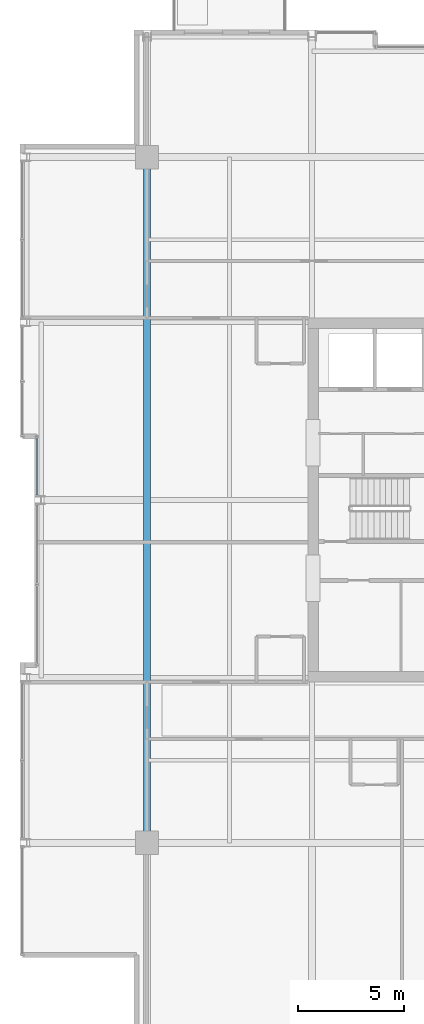
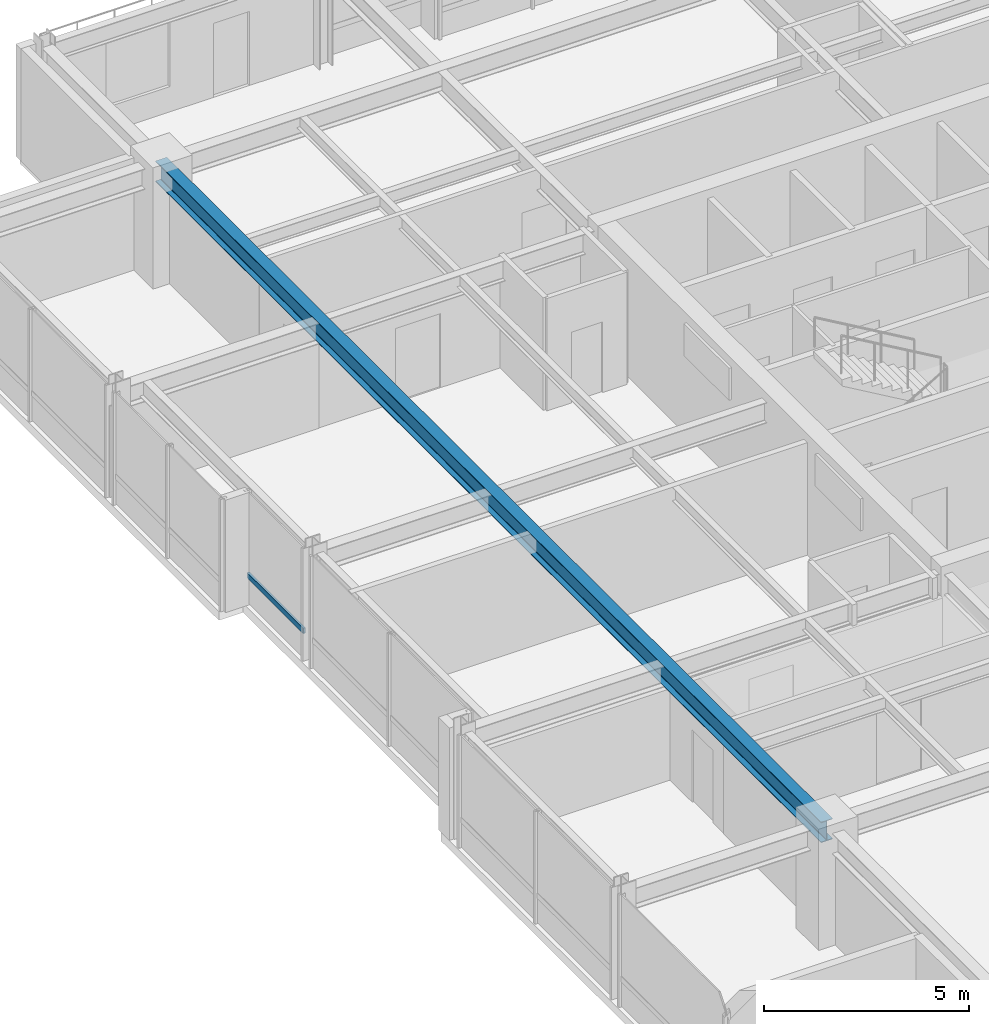
# One storey, part 10 of 32: 1 beam, 1 member, 1 element without a shape of its own.
"""IFC4 building model written with IfcOpenShell, lengths in metres."""

from ifc_helpers import new_model, si_unit, direction, frame, origin, origin_2d, place, context, subcontext, project, spatial, hollow_rectangle, i_section, extrude, material, layer, layer_set, material_profile, profile_set, type_object, element, aggregate, save


model = new_model("IFC4")

# Units and contexts
model_context = context("Model", 3, precision=1e-05, world=origin(), true_north=direction((0.0, 1.0)))
body_context = subcontext(model_context, "Body", "Model", "MODEL_VIEW")
ifc_project = project(units=[si_unit("LENGTHUNIT", "METRE"), si_unit("AREAUNIT", "SQUARE_METRE"), si_unit("VOLUMEUNIT", "CUBIC_METRE"), si_unit("PLANEANGLEUNIT", "RADIAN"), si_unit("MASSUNIT", "GRAM", prefix="KILO")], contexts=[model_context])

# Site, building, storey
site_placement = place(None, origin())
site = spatial("IfcSite", under=ifc_project, at=site_placement, CompositionType="ELEMENT")
building_placement = place(site_placement, origin())
building = spatial("IfcBuilding", under=site, at=building_placement, Name="Drelvath Grand Hotel", CompositionType="ELEMENT")
storey_placement = place(building_placement, frame((0.0, 0.0, 223.10009765625)))
storey = spatial("IfcBuildingStorey", under=building, at=storey_placement, Name="L58", CompositionType="ELEMENT", Elevation=223.10009765625)

# Curtain wall, member
ifc_material_1 = material(Name="Platinum-Mist Anodised Aluminium Frame", Category="aluminium")
ifc_layer = layer(ifc_material_1, 0.199951171875)
ifc_layer_set = layer_set([ifc_layer], Name="Platinum-Mist Anodised Aluminium Frame")
curtain_wall_type = type_object("IfcCurtainWallType", Name="Stick Curtain Wall CW-05 Platinum Mist High-Rise", PredefinedType="NOTDEFINED", material=ifc_layer_set)
curtain_wall_placement = place(storey_placement, origin())
curtain_wall = element("IfcCurtainWall", 1, at=curtain_wall_placement, inside=storey, type_object=curtain_wall_type, Name="L58 CW-05 Curtain Wall CW05-L58-WM2", PredefinedType="NOTDEFINED")
ifc_material_profile_1 = material_profile(ifc_material_1, hollow_rectangle(XDim=0.06494140625, YDim=0.159912109375, WallThickness=0.00390625, at=origin_2d()), Name="HSS160X65X4")
ifc_profile_set_1 = profile_set([ifc_material_profile_1], Name="Platinum-Mist Anodised Aluminium Frame")
member_type = type_object("IfcMemberType", Name="Curtain Wall Horizontal Transom CW-05 HSS160X65X4", PredefinedType="USERDEFINED", material=ifc_profile_set_1)
member_placement = place(storey_placement, frame((-21.39990234375, 27.225341796875, 0.8349609375), z_axis=(0.0, 1.0, 0.0), x_axis=(-1.0, 0.0, 0.0)))
member = element("IfcMember", 2, at=member_placement, type_object=member_type, Name="CW05-L58-WM2 Sill Transom", ObjectType="TRANSOM", PredefinedType="USERDEFINED", context=body_context, shape_type="SweptSolid", body=[
    extrude(hollow_rectangle(XDim=0.06494140625, YDim=0.159912109375, WallThickness=0.00390625, at=origin_2d()), origin(), (0.0, 0.0, 1.0), 2.734619140625),
])
aggregate(curtain_wall, [member])

# Beam
ifc_material_2 = material(Name="Steel ASTM A992 Gr 50", Category="steel")
ifc_material_profile_2 = material_profile(ifc_material_2, i_section(OverallWidth=0.323974609375, OverallDepth=0.611083984375, WebThickness=0.0126953125, FlangeThickness=0.01904296875, FilletRadius=0.02197265625, at=origin_2d()), Name="W24X104")
ifc_profile_set_2 = profile_set([ifc_material_profile_2], Name="Steel ASTM A992 Gr 50")
beam_type = type_object("IfcBeamType", Name="Primary Floor Girder W24X104", PredefinedType="BEAM", material=ifc_profile_set_2)
beam_placement = place(storey_placement, frame((-16.199951171875, 10.800048828125, 3.034423828125), z_axis=(0.0, 1.0, 0.0), x_axis=(-1.0, 0.0, 0.0)))
element("IfcBeam", 3, at=beam_placement, inside=storey, type_object=beam_type, Name="L58 Mega Ring Girder West", PredefinedType="BEAM", context=body_context, shape_type="SweptSolid", body=[
    extrude(i_section(OverallWidth=0.323974609375, OverallDepth=0.611083984375, WebThickness=0.0126953125, FlangeThickness=0.01904296875, FilletRadius=0.02197265625, at=origin_2d()), origin(), (0.0, 0.0, 1.0), 32.39990234375),
])

save(model, "model.ifc")
